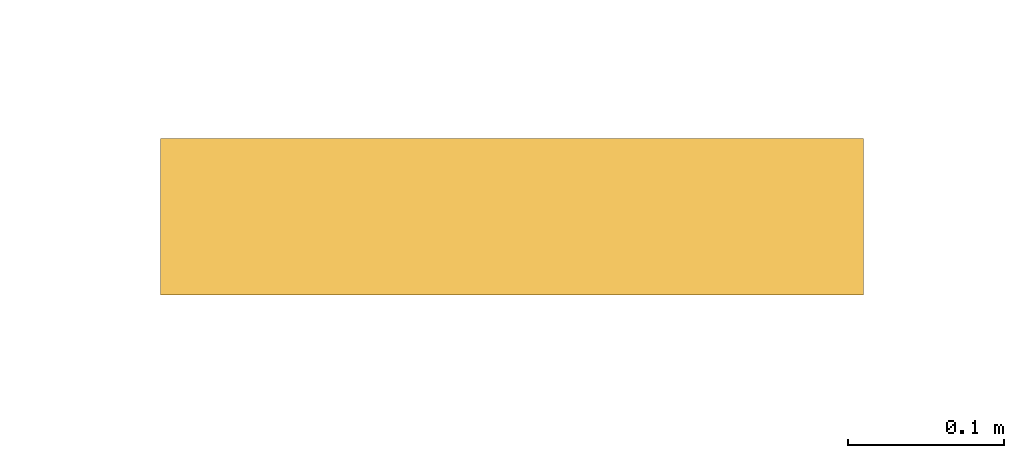
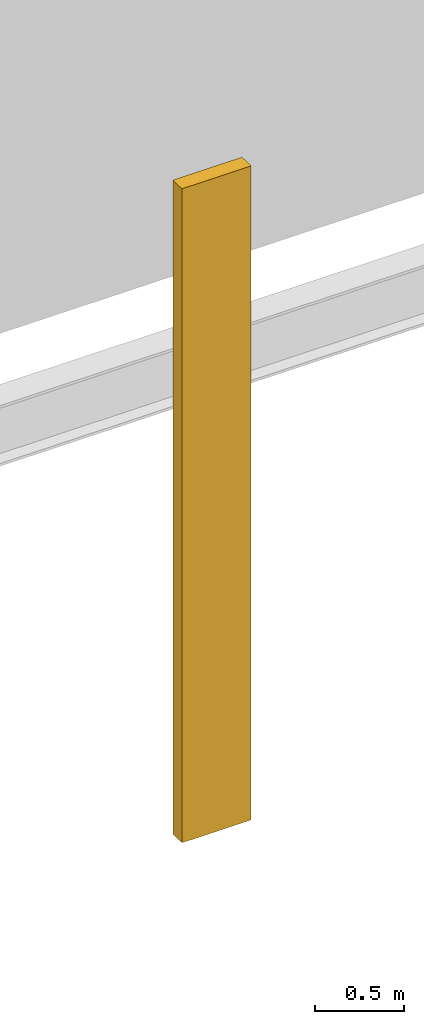
# One storey, part 5 of 5: 1 railing.
"""IFC4 building model written with IfcOpenShell, lengths in metres."""

import ifcopenshell
import ifcopenshell.guid

model = None  # the IFC model being written
_history = None  # IfcOwnerHistory: only IFC2X3 demands one
_inside = {}  # id of a spatial element -> (the spatial element, [elements in it])
_under = {}  # id of a project, library or spatial element -> (it, [spatial elements below it])
_declared = {}  # id of a project -> (the project, [libraries it declares])
_typed = {}  # id of a type object -> (the type object, [elements of that type])
_made_of = {}  # id of a material, layer set ... -> (it, [elements and type objects made of it])


def new_model(schema):
    """Start an empty IFC model of exactly this schema.

    Asked for "IFC4X3", IfcOpenShell would pick the latest addendum, in which some entities
    have other attributes; the version numbers below select the first issue.
    IFC2X3 requires an IfcOwnerHistory on every rooted entity: one is made here for all.
    """
    global model, _history
    if schema == "IFC4X3":
        model = ifcopenshell.file(schema_version=(4, 3, 0, 0))
    else:
        model = ifcopenshell.file(schema=schema)
    _inside.clear()
    _under.clear()
    _declared.clear()
    _typed.clear()
    _made_of.clear()
    _history = None
    if model.schema == "IFC2X3":
        org = make("IfcOrganization", Name="unknown")
        user = make(
            "IfcPersonAndOrganization",
            ThePerson=make("IfcPerson", FamilyName="unknown"),
            TheOrganization=org,
        )
        app = make(
            "IfcApplication",
            ApplicationDeveloper=org,
            Version="unknown",
            ApplicationFullName="unknown",
            ApplicationIdentifier="unknown",
        )
        _history = make(
            "IfcOwnerHistory",
            OwningUser=user,
            OwningApplication=app,
            ChangeAction="ADDED",
            CreationDate=0,
        )
    return model


def make(cls, **values):
    """One entity of the class cls with the attributes given. An attribute that is None is left unset."""
    return model.create_entity(
        cls, **{name: value for name, value in values.items() if value is not None}
    )


def rooted(cls, **values):
    """An entity with a GlobalId (a new one), such as an element, a storey or a relation."""
    return make(cls, GlobalId=ifcopenshell.guid.new(), OwnerHistory=_history, **values)


def si_unit(unit_type, name, prefix=None):
    """IfcSIUnit, for example si_unit("LENGTHUNIT", "METRE", prefix="MILLI")."""
    return make("IfcSIUnit", UnitType=unit_type, Prefix=prefix, Name=name)


def assignment(units):
    """IfcUnitAssignment: the units of a project."""
    return None if units is None else make("IfcUnitAssignment", Units=units)


def point(xyz):
    """IfcCartesianPoint."""
    return None if xyz is None else make("IfcCartesianPoint", Coordinates=xyz)


def direction(xyz):
    """IfcDirection."""
    return None if xyz is None else make("IfcDirection", DirectionRatios=xyz)


def frame(location, z_axis=None, x_axis=None):
    """IfcAxis2Placement3D, a coordinate frame: its origin and axes. An axis left out is left unset."""
    return make(
        "IfcAxis2Placement3D",
        Location=point(location),
        Axis=direction(z_axis),
        RefDirection=direction(x_axis),
    )


def frame_2d(location, x_axis=None):
    """IfcAxis2Placement2D, a coordinate frame in the plane: its origin and x axis."""
    return make(
        "IfcAxis2Placement2D", Location=point(location), RefDirection=direction(x_axis)
    )


def origin():
    """The frame at (0, 0, 0) with its axes left unset."""
    return frame((0.0, 0.0, 0.0))


def origin_2d():
    """The frame at (0, 0) in the plane with its x axis left unset."""
    return frame_2d((0.0, 0.0))


def place(relative_to, where):
    """IfcLocalPlacement: puts the frame where relative to a parent placement (None: the world)."""
    return make(
        "IfcLocalPlacement", PlacementRelTo=relative_to, RelativePlacement=where
    )


def context(
    kind, dimensions, precision=None, world=None, true_north=None, identifier=None
):
    """IfcGeometricRepresentationContext, for example the 3D "Model" context."""
    return make(
        "IfcGeometricRepresentationContext",
        ContextIdentifier=identifier,
        ContextType=kind,
        CoordinateSpaceDimension=dimensions,
        Precision=precision,
        WorldCoordinateSystem=world,
        TrueNorth=true_north,
    )


def subcontext(parent, identifier, kind, view, scale=None):
    """IfcGeometricRepresentationSubContext, for example "Body" below "Model"."""
    return make(
        "IfcGeometricRepresentationSubContext",
        ContextIdentifier=identifier,
        ContextType=kind,
        ParentContext=parent,
        TargetScale=scale,
        TargetView=view,
    )


def project(units=None, contexts=None):
    """IfcProject with its units and contexts."""
    return rooted(
        "IfcProject",
        Name="project",
        RepresentationContexts=contexts,
        UnitsInContext=assignment(units),
    )


def spatial(cls, under=None, at=None, **own):
    """A site, building, storey or space (cls), placed at a placement, below another one or the project."""
    s = rooted(cls, ObjectPlacement=at, **own)
    if under is not None:
        _under.setdefault(under.id(), (under, []))[1].append(s)
    return s


def profile(cls, at=None, kind="AREA", **sizes):
    """A parametric profile (cls). Its sizes go by their IFC names, for example OverallWidth=200.0."""
    return make(cls, ProfileType=kind, Position=at, **sizes)


def rectangle(**sizes):
    """IfcRectangleProfileDef."""
    return profile("IfcRectangleProfileDef", **sizes)


def extrude(swept, where, along, depth):
    """IfcExtrudedAreaSolid: the profile swept, set in the frame where, extruded along a direction by depth."""
    return make(
        "IfcExtrudedAreaSolid",
        SweptArea=swept,
        Position=where,
        ExtrudedDirection=direction(along),
        Depth=depth,
    )


def shape(context_of_items, identifier, shape_type, items):
    """IfcShapeRepresentation: the items that make up one representation, for example the "Body"."""
    return make(
        "IfcShapeRepresentation",
        ContextOfItems=context_of_items,
        RepresentationIdentifier=identifier,
        RepresentationType=shape_type,
        Items=items,
    )


def material(Name=None, Category=None):
    """IfcMaterial."""
    return make("IfcMaterial", Name=Name, Category=Category)


def made_of(thing, what):
    """Note that an element or type object is made of a material, layer set ...; save() writes the relation."""
    if what is not None:
        _made_of.setdefault(what.id(), (what, []))[1].append(thing)
    return thing


def type_object(cls, material=None, **own):
    """A type object (cls), such as IfcWallType, which elements share."""
    return made_of(rooted(cls, **own), material)


def element(
    cls,
    number,
    at=None,
    inside=None,
    cuts=None,
    type_object=None,
    material=None,
    context=None,
    identifier="Body",
    shape_type=None,
    held_by="IfcProductDefinitionShape",
    body=None,
    shapes=None,
    **own,
):
    """One element of the class cls, such as IfcWall. Its Tag is "e" and its number.

    at: its placement. inside: the storey or other place that contains it. cuts: it is an
    opening in that element (IfcRelVoidsElement). A single representation is given by context,
    identifier, shape_type and body (its items); several are given by shapes. held_by: the class
    of the entity that holds the representations. save() writes the other relations.
    """
    e = rooted(cls, Tag="e%d" % number, ObjectPlacement=at, **own)
    if body is not None:
        shapes = [shape(context, identifier, shape_type, body)]
    if shapes is not None:
        e.Representation = make(held_by, Representations=shapes)
    if inside is not None:
        _inside.setdefault(inside.id(), (inside, []))[1].append(e)
    if cuts is not None:
        rooted(
            "IfcRelVoidsElement", RelatingBuildingElement=cuts, RelatedOpeningElement=e
        )
    if type_object is not None:
        _typed.setdefault(type_object.id(), (type_object, []))[1].append(e)
    return made_of(e, material)


def aggregate(whole, parts):
    """IfcRelAggregates: a whole, such as a stair, and the parts it consists of."""
    return rooted("IfcRelAggregates", RelatingObject=whole, RelatedObjects=parts)


def save(model, path):
    """Write the relations noted so far, then the file.

    IfcRelAggregates (storeys below a building ...), IfcRelContainedInSpatialStructure (elements
    in a storey), IfcRelDefinesByType, IfcRelAssociatesMaterial and IfcRelDeclares: one each for
    every whole, place, type object, material and project.
    """
    for whole, parts in _under.values():
        aggregate(whole, parts)
    for where, things in _inside.values():
        rooted(
            "IfcRelContainedInSpatialStructure",
            RelatedElements=things,
            RelatingStructure=where,
        )
    for kind, things in _typed.values():
        rooted("IfcRelDefinesByType", RelatedObjects=things, RelatingType=kind)
    for what, things in _made_of.values():
        rooted("IfcRelAssociatesMaterial", RelatedObjects=things, RelatingMaterial=what)
    for by, libraries in _declared.values():
        rooted("IfcRelDeclares", RelatingContext=by, RelatedDefinitions=libraries)
    model.write(path)


model = new_model("IFC4")

# Units and contexts
model_context = context("Model", 3, precision=1e-05, world=origin(), true_north=direction((0.0, 1.0)))
body_context = subcontext(model_context, "Body", "Model", "MODEL_VIEW")
ifc_project = project(units=[si_unit("LENGTHUNIT", "METRE"), si_unit("AREAUNIT", "SQUARE_METRE"), si_unit("VOLUMEUNIT", "CUBIC_METRE"), si_unit("PLANEANGLEUNIT", "RADIAN"), si_unit("MASSUNIT", "GRAM", prefix="KILO")], contexts=[model_context])

# Site, building, storey
site_placement = place(None, origin())
site = spatial("IfcSite", under=ifc_project, at=site_placement, CompositionType="ELEMENT")
building_placement = place(site_placement, origin())
building = spatial("IfcBuilding", under=site, at=building_placement, Name="Perihelion Cross Residences", CompositionType="ELEMENT")
storey_placement = place(building_placement, frame((0.0, 0.0, 303.300048828125)))
storey = spatial("IfcBuildingStorey", under=building, at=storey_placement, Name="L77", CompositionType="ELEMENT", Elevation=303.300048828125)

# Railing
ifc_material = material(Name="Galvanised steel S355", Category="steel")
railing_type = type_object("IfcRailingType", Name="Fixed access ladder", PredefinedType="NOTDEFINED", material=ifc_material)
railing_placement = place(storey_placement, frame((0.0, 0.800048828125, 0.0), z_axis=(0.0, 0.0, 1.0), x_axis=(1.0, 0.0, 0.0)))
element("IfcRailing", 1, at=railing_placement, inside=storey, type_object=railing_type, Name="Fixed access ladder", PredefinedType="NOTDEFINED", context=body_context, shape_type="SweptSolid", body=[
    extrude(rectangle(XDim=0.449951171875, YDim=0.10009765625, at=origin_2d()), origin(), (0.0, 0.0, 1.0), 4.5),
])

save(model, "model.ifc")
